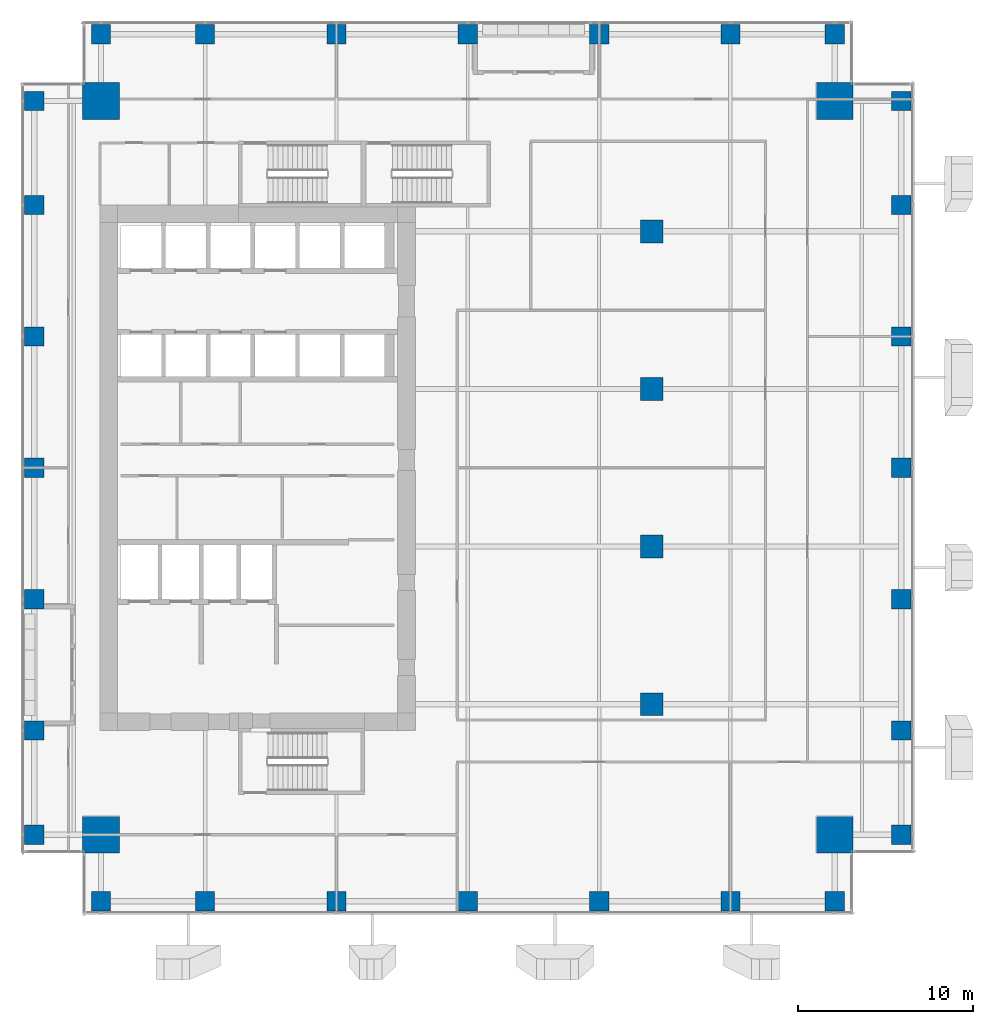
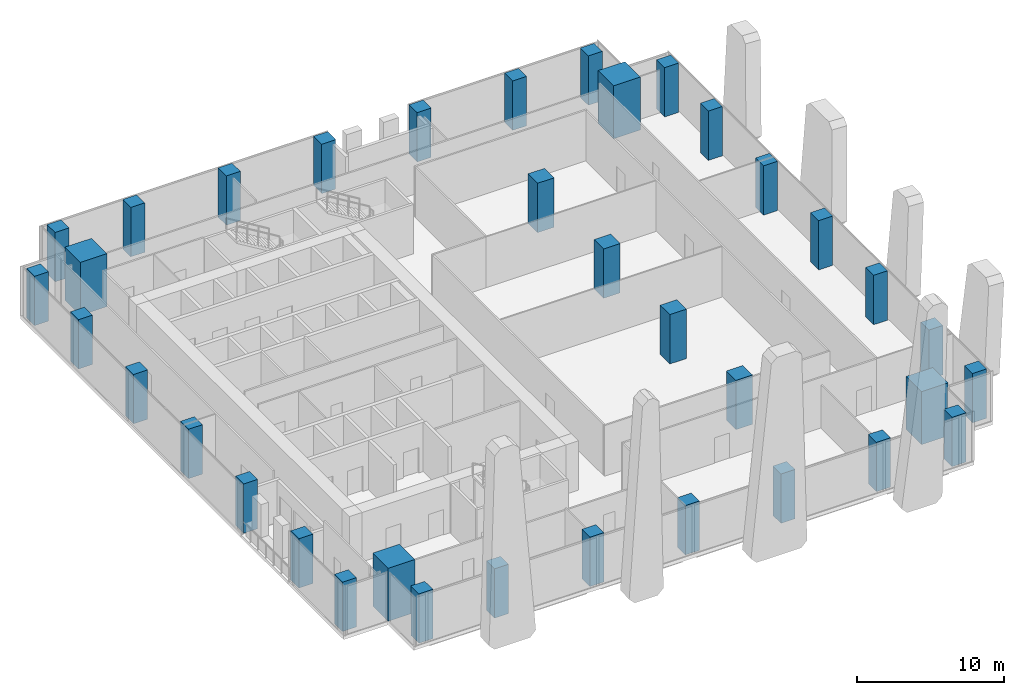
# One storey, part 1 of 35: 36 columns.
"""IFC4 building model written with IfcOpenShell, lengths in metres."""

from ifc_helpers import new_model, si_unit, direction, frame, origin, origin_2d, place, context, subcontext, project, spatial, rectangle, extrude, source, transform, mapped, material, material_profile, profile_set, type_object, element, save


model = new_model("IFC4")

# Units and contexts
model_context = context("Model", 3, precision=1e-05, world=origin(), true_north=direction((0.0, 1.0)))
body_context = subcontext(model_context, "Body", "Model", "MODEL_VIEW")
ifc_project = project(units=[si_unit("LENGTHUNIT", "METRE"), si_unit("AREAUNIT", "SQUARE_METRE"), si_unit("VOLUMEUNIT", "CUBIC_METRE"), si_unit("PLANEANGLEUNIT", "RADIAN"), si_unit("MASSUNIT", "GRAM", prefix="KILO")], contexts=[model_context])

# Site, building, storey
site_placement = place(None, origin())
site = spatial("IfcSite", under=ifc_project, at=site_placement, CompositionType="ELEMENT")
building_placement = place(site_placement, origin())
building = spatial("IfcBuilding", under=site, at=building_placement, Name="Khomas Fold Tower", CompositionType="ELEMENT")
storey_placement = place(building_placement, frame((0.0, 0.0, 119.10009765625)))
storey = spatial("IfcBuildingStorey", under=building, at=storey_placement, Name="L25", CompositionType="ELEMENT", Elevation=119.10009765625)

# Columns
ifc_material_1 = material(Name="Concrete C70/85", Category="concrete")
ifc_material_profile_1 = material_profile(ifc_material_1, rectangle(XDim=2.10009765625, YDim=2.10009765625, at=origin_2d()), Name="RC 2100x2100")
ifc_profile_set_1 = profile_set([ifc_material_profile_1], Name="Concrete C70/85")
column_type_1 = type_object("IfcColumnType", Name="RC 2100x2100 column", PredefinedType="COLUMN", material=ifc_profile_set_1)
shared_shape_1 = source(origin(), body_context, "Body", "SweptSolid", [
    extrude(rectangle(XDim=2.10009765625, YDim=2.10009765625, at=origin_2d()), origin(), (0.0, 0.0, 1.0), 4.39990234375),
])
for number, where, z_axis, x_axis, name in (
    (1, (47.949951171875, 47.949951171875, 0.0), (0.0, 0.0, 1.0), (1.0, 0.0, 0.0), "CM-NE"),
    (2, (6.050048828125, 47.949951171875, 0.0), (0.0, 0.0, 1.0), (1.0, 0.0, 0.0), "CM-NW"),
    (3, (47.949951171875, 6.050048828125, 0.0), (0.0, 0.0, 1.0), (1.0, 0.0, 0.0), "CM-SE"),
    (4, (6.050048828125, 6.050048828125, 0.0), (0.0, 0.0, 1.0), (1.0, 0.0, 0.0), "CM-SW"),
):
    element("IfcColumn", number, at=place(storey_placement, frame(where, z_axis=z_axis, x_axis=x_axis)), inside=storey, type_object=column_type_1, Name=name, PredefinedType="COLUMN", context=body_context, shape_type="MappedRepresentation", body=[
        mapped(shared_shape_1, transform((0.0, 0.0, 0.0))),
    ])
ifc_material_2 = material(Name="Concrete C50/60", Category="concrete")
ifc_material_profile_2 = material_profile(ifc_material_2, rectangle(XDim=1.10009765625, YDim=1.10009765625, at=origin_2d()), Name="RC 1100x1100")
ifc_profile_set_2 = profile_set([ifc_material_profile_2], Name="Concrete C50/60")
column_type_2 = type_object("IfcColumnType", Name="RC 1100x1100 column", PredefinedType="COLUMN", material=ifc_profile_set_2)
shared_shape_2 = source(origin(), body_context, "Body", "SweptSolid", [
    extrude(rectangle(XDim=1.10009765625, YDim=1.10009765625, at=origin_2d()), origin(), (0.0, 0.0, 1.0), 4.099853515625),
])
for number, where, z_axis, x_axis, name in (
    (5, (6.050048828125, 2.25, 0.0), (0.0, 0.0, 1.0), (1.0, 0.0, 0.0), "C-3-SF2"),
    (6, (12.0, 2.25, 0.0), (0.0, 0.0, 1.0), (1.0, 0.0, 0.0), "C-6-SF2"),
    (7, (19.5, 2.25, 0.0), (0.0, 0.0, 1.0), (1.0, 0.0, 0.0), "C-8-SF2"),
    (8, (27.0, 2.25, 0.0), (0.0, 0.0, 1.0), (1.0, 0.0, 0.0), "C-9-SF2"),
    (9, (34.5, 2.25, 0.0), (0.0, 0.0, 1.0), (1.0, 0.0, 0.0), "C-10-SF2"),
    (10, (42.0, 2.25, 0.0), (0.0, 0.0, 1.0), (1.0, 0.0, 0.0), "C-13-SF2"),
    (11, (47.949951171875, 2.25, 0.0), (0.0, 0.0, 1.0), (1.0, 0.0, 0.0), "C-16-SF2"),
    (12, (51.75, 6.050048828125, 0.0), (0.0, 0.0, 1.0), (1.0, 0.0, 0.0), "C-E2-C"),
    (13, (51.75, 12.0, 0.0), (0.0, 0.0, 1.0), (1.0, 0.0, 0.0), "C-E2-F"),
    (14, (51.75, 19.5, 0.0), (0.0, 0.0, 1.0), (1.0, 0.0, 0.0), "C-E2-J"),
    (15, (51.75, 27.0, 0.0), (0.0, 0.0, 1.0), (1.0, 0.0, 0.0), "C-E2-L"),
    (16, (51.75, 34.5, 0.0), (0.0, 0.0, 1.0), (1.0, 0.0, 0.0), "C-E2-N"),
    (17, (51.75, 42.0, 0.0), (0.0, 0.0, 1.0), (1.0, 0.0, 0.0), "C-E2-R"),
    (18, (51.75, 47.949951171875, 0.0), (0.0, 0.0, 1.0), (1.0, 0.0, 0.0), "C-E2-U"),
    (19, (6.050048828125, 51.75, 0.0), (0.0, 0.0, 1.0), (1.0, 0.0, 0.0), "C-3-NF2"),
    (20, (12.0, 51.75, 0.0), (0.0, 0.0, 1.0), (1.0, 0.0, 0.0), "C-6-NF2"),
    (21, (19.5, 51.75, 0.0), (0.0, 0.0, 1.0), (1.0, 0.0, 0.0), "C-8-NF2"),
    (22, (27.0, 51.75, 0.0), (0.0, 0.0, 1.0), (1.0, 0.0, 0.0), "C-9-NF2"),
    (23, (34.5, 51.75, 0.0), (0.0, 0.0, 1.0), (1.0, 0.0, 0.0), "C-10-NF2"),
    (24, (42.0, 51.75, 0.0), (0.0, 0.0, 1.0), (1.0, 0.0, 0.0), "C-13-NF2"),
    (25, (47.949951171875, 51.75, 0.0), (0.0, 0.0, 1.0), (1.0, 0.0, 0.0), "C-16-NF2"),
    (26, (2.25, 6.050048828125, 0.0), (0.0, 0.0, 1.0), (1.0, 0.0, 0.0), "C-W2-C"),
    (27, (2.25, 12.0, 0.0), (0.0, 0.0, 1.0), (1.0, 0.0, 0.0), "C-W2-F"),
    (28, (2.25, 19.5, 0.0), (0.0, 0.0, 1.0), (1.0, 0.0, 0.0), "C-W2-J"),
    (29, (2.25, 27.0, 0.0), (0.0, 0.0, 1.0), (1.0, 0.0, 0.0), "C-W2-L"),
    (30, (2.25, 34.5, 0.0), (0.0, 0.0, 1.0), (1.0, 0.0, 0.0), "C-W2-N"),
    (31, (2.25, 42.0, 0.0), (0.0, 0.0, 1.0), (1.0, 0.0, 0.0), "C-W2-R"),
    (32, (2.25, 47.949951171875, 0.0), (0.0, 0.0, 1.0), (1.0, 0.0, 0.0), "C-W2-U"),
):
    element("IfcColumn", number, at=place(storey_placement, frame(where, z_axis=z_axis, x_axis=x_axis)), inside=storey, type_object=column_type_2, Name=name, PredefinedType="COLUMN", context=body_context, shape_type="MappedRepresentation", body=[
        mapped(shared_shape_2, transform((0.0, 0.0, 0.0))),
    ])
ifc_material_3 = material(Name="Concrete C60/75", Category="concrete")
ifc_material_profile_3 = material_profile(ifc_material_3, rectangle(XDim=1.300048828125, YDim=1.300048828125, at=origin_2d()), Name="RC 1300x1300")
ifc_profile_set_3 = profile_set([ifc_material_profile_3], Name="Concrete C60/75")
column_type_3 = type_object("IfcColumnType", Name="RC 1300x1300 column", PredefinedType="COLUMN", material=ifc_profile_set_3)
shared_shape_3 = source(origin(), body_context, "Body", "SweptSolid", [
    extrude(rectangle(XDim=1.300048828125, YDim=1.300048828125, at=origin_2d()), origin(), (0.0, 0.0, 1.0), 4.099853515625),
])
for number, where, z_axis, x_axis, name in (
    (33, (37.5, 13.5, 0.0), (0.0, 0.0, 1.0), (1.0, 0.0, 0.0), "C-11-H"),
    (34, (37.5, 22.5, 0.0), (0.0, 0.0, 1.0), (1.0, 0.0, 0.0), "C-11-K"),
    (35, (37.5, 31.5, 0.0), (0.0, 0.0, 1.0), (1.0, 0.0, 0.0), "C-11-M"),
    (36, (37.5, 40.5, 0.0), (0.0, 0.0, 1.0), (1.0, 0.0, 0.0), "C-11-P"),
):
    element("IfcColumn", number, at=place(storey_placement, frame(where, z_axis=z_axis, x_axis=x_axis)), inside=storey, type_object=column_type_3, Name=name, PredefinedType="COLUMN", context=body_context, shape_type="MappedRepresentation", body=[
        mapped(shared_shape_3, transform((0.0, 0.0, 0.0))),
    ])

save(model, "model.ifc")
